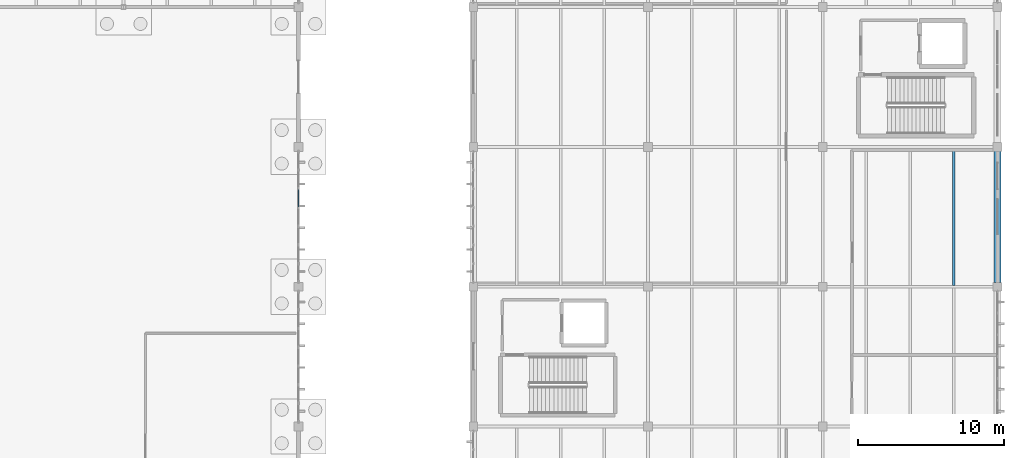
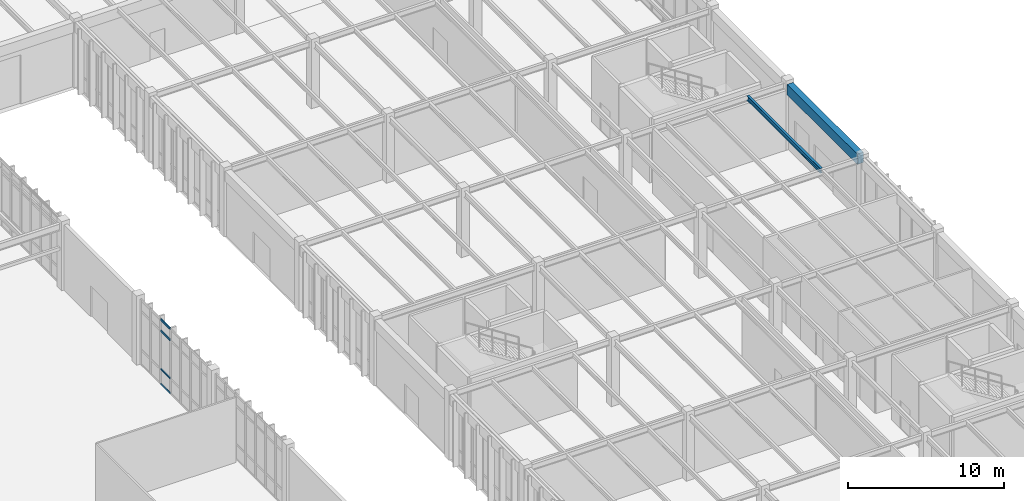
# One storey, part 109 of 188: 4 members, 2 beams, 1 element without a shape of its own.
"""IFC4 building model written with IfcOpenShell, lengths in metres."""

from ifc_helpers import new_model, si_unit, direction, frame, origin, origin_2d, place, context, subcontext, project, spatial, rectangle, hollow_rectangle, i_section, extrude, material, layer, layer_set, material_profile, profile_set, type_object, element, aggregate, save


model = new_model("IFC4")

# Units and contexts
model_context = context("Model", 3, precision=1e-05, world=origin(), true_north=direction((0.0, 1.0)))
body_context = subcontext(model_context, "Body", "Model", "MODEL_VIEW")
ifc_project = project(units=[si_unit("LENGTHUNIT", "METRE"), si_unit("AREAUNIT", "SQUARE_METRE"), si_unit("VOLUMEUNIT", "CUBIC_METRE"), si_unit("PLANEANGLEUNIT", "RADIAN"), si_unit("MASSUNIT", "GRAM", prefix="KILO")], contexts=[model_context])

# Site, building, storey
site_placement = place(None, origin())
site = spatial("IfcSite", under=ifc_project, at=site_placement, CompositionType="ELEMENT")
building_placement = place(site_placement, origin())
building = spatial("IfcBuilding", under=site, at=building_placement, Name="Pandanus Reach Market Hall", CompositionType="ELEMENT")
storey_placement = place(building_placement, origin())
storey = spatial("IfcBuildingStorey", under=building, at=storey_placement, Name="L00", CompositionType="ELEMENT", Elevation=0.0)

# Beam
ifc_material_1 = material(Name="Concrete N40 (40 MPa)", Category="concrete")
ifc_material_profile_1 = material_profile(ifc_material_1, rectangle(XDim=0.449951171875, YDim=0.800048828125, at=origin_2d()), Name="RC450x800", Category="LoadBearing")
ifc_profile_set_1 = profile_set([ifc_material_profile_1], Name="Concrete N40 (40 MPa)")
beam_type_1 = type_object("IfcBeamType", Name="BM-RC450-E", PredefinedType="SPANDREL", material=ifc_profile_set_1)
beam_1_placement = place(storey_placement, frame((180.0, 57.89794921875, 4.72509765625), z_axis=(0.0, 1.0, 0.0), x_axis=(-1.0, 0.0, 0.0)))
element("IfcBeam", 1, at=beam_1_placement, inside=storey, type_object=beam_type_1, Name="Framing beam BM-RC450-E L00.224", PredefinedType="SPANDREL", context=body_context, shape_type="SweptSolid", body=[
    extrude(rectangle(XDim=0.449951171875, YDim=0.800048828125, at=origin_2d()), origin(), (0.0, 0.0, 1.0), 9.004150390625),
])

# Curtain wall, members
ifc_material_2 = material(Name="Bronze anodised aluminium and low-E glass", Category="aluminium")
ifc_layer = layer(ifc_material_2, 0.199951171875, Name="CW-06")
ifc_layer_set = layer_set([ifc_layer], Name="Bronze anodised aluminium and low-E glass")
curtain_wall_type = type_object("IfcCurtainWallType", Name="CW-06", PredefinedType="NOTDEFINED", material=ifc_layer_set)
curtain_wall_placement = place(storey_placement, origin())
curtain_wall = element("IfcCurtainWall", 2, at=curtain_wall_placement, inside=storey, type_object=curtain_wall_type, Name="Glazed curtain wall CW-06 CW-0030", PredefinedType="NOTDEFINED")
ifc_material_3 = material(Name="Bronze anodised aluminium", Category="aluminium")
ifc_material_profile_2 = material_profile(ifc_material_3, hollow_rectangle(XDim=0.074951171875, YDim=0.14990234375, WallThickness=0.00439453125, at=origin_2d()), Name="ALU75x150", Category="LoadBearing")
ifc_profile_set_2 = profile_set([ifc_material_profile_2], Name="Bronze anodised aluminium")
member_type = type_object("IfcMemberType", Name="CW-T2", PredefinedType="USERDEFINED", material=ifc_profile_set_2)
member_1_placement = place(storey_placement, frame((132.0, 63.080322265625, 0.03759765625), z_axis=(0.0, 1.0, 0.0), x_axis=(-1.0, 0.0, 0.0)))
member_1 = element("IfcMember", 3, at=member_1_placement, type_object=member_type, Name="CW-06 transom 5.1", ObjectType="TRANSOM", PredefinedType="USERDEFINED", context=body_context, shape_type="SweptSolid", body=[
    extrude(hollow_rectangle(XDim=0.074951171875, YDim=0.14990234375, WallThickness=0.00439453125, at=origin_2d()), origin(), (0.0, 0.0, 1.0), 1.210693359375),
])
member_2_placement = place(storey_placement, frame((132.0, 63.080322265625, 1.199951171875), z_axis=(0.0, 1.0, 0.0), x_axis=(-1.0, 0.0, 0.0)))
member_2 = element("IfcMember", 4, at=member_2_placement, type_object=member_type, Name="CW-06 transom 5.2", ObjectType="TRANSOM", PredefinedType="USERDEFINED", context=body_context, shape_type="SweptSolid", body=[
    extrude(hollow_rectangle(XDim=0.074951171875, YDim=0.14990234375, WallThickness=0.00439453125, at=origin_2d()), origin(), (0.0, 0.0, 1.0), 1.210693359375),
])
member_3_placement = place(storey_placement, frame((132.0, 63.080322265625, 4.199951171875), z_axis=(0.0, 1.0, 0.0), x_axis=(-1.0, 0.0, 0.0)))
member_3 = element("IfcMember", 5, at=member_3_placement, type_object=member_type, Name="CW-06 transom 5.3", ObjectType="TRANSOM", PredefinedType="USERDEFINED", context=body_context, shape_type="SweptSolid", body=[
    extrude(hollow_rectangle(XDim=0.074951171875, YDim=0.14990234375, WallThickness=0.00439453125, at=origin_2d()), origin(), (0.0, 0.0, 1.0), 1.210693359375),
])
member_4_placement = place(storey_placement, frame((132.0, 63.080322265625, 5.0625), z_axis=(0.0, 1.0, 0.0), x_axis=(-1.0, 0.0, 0.0)))
member_4 = element("IfcMember", 6, at=member_4_placement, type_object=member_type, Name="CW-06 transom 5.4", ObjectType="TRANSOM", PredefinedType="USERDEFINED", context=body_context, shape_type="SweptSolid", body=[
    extrude(hollow_rectangle(XDim=0.074951171875, YDim=0.14990234375, WallThickness=0.00439453125, at=origin_2d()), origin(), (0.0, 0.0, 1.0), 1.210693359375),
])
aggregate(curtain_wall, [member_1, member_2, member_3, member_4])

# Beam
ifc_material_4 = material(Name="Steel Grade 350 (350 MPa)", Category="steel")
ifc_material_profile_3 = material_profile(ifc_material_4, i_section(OverallWidth=0.172119140625, OverallDepth=0.35888671875, WebThickness=0.008056640625, FlangeThickness=0.012939453125, at=origin_2d()), Name="360UB56.7", Category="LoadBearing")
ifc_profile_set_3 = profile_set([ifc_material_profile_3], Name="Steel Grade 350 (350 MPa)")
beam_type_2 = type_object("IfcBeamType", Name="JS-UB360H-I", PredefinedType="JOIST", material=ifc_profile_set_3)
beam_2_placement = place(storey_placement, frame((177.0, 57.693603515625, 4.945068359375), z_axis=(0.0, 1.0, 0.0), x_axis=(-1.0, 0.0, 0.0)))
element("IfcBeam", 7, at=beam_2_placement, inside=storey, type_object=beam_type_2, Name="Secondary joist JS-UB360H-I L00.299", PredefinedType="JOIST", context=body_context, shape_type="SweptSolid", body=[
    extrude(i_section(OverallWidth=0.172119140625, OverallDepth=0.35888671875, WebThickness=0.008056640625, FlangeThickness=0.012939453125, at=origin_2d()), origin(), (0.0, 0.0, 1.0), 9.412841796875),
])

save(model, "model.ifc")
